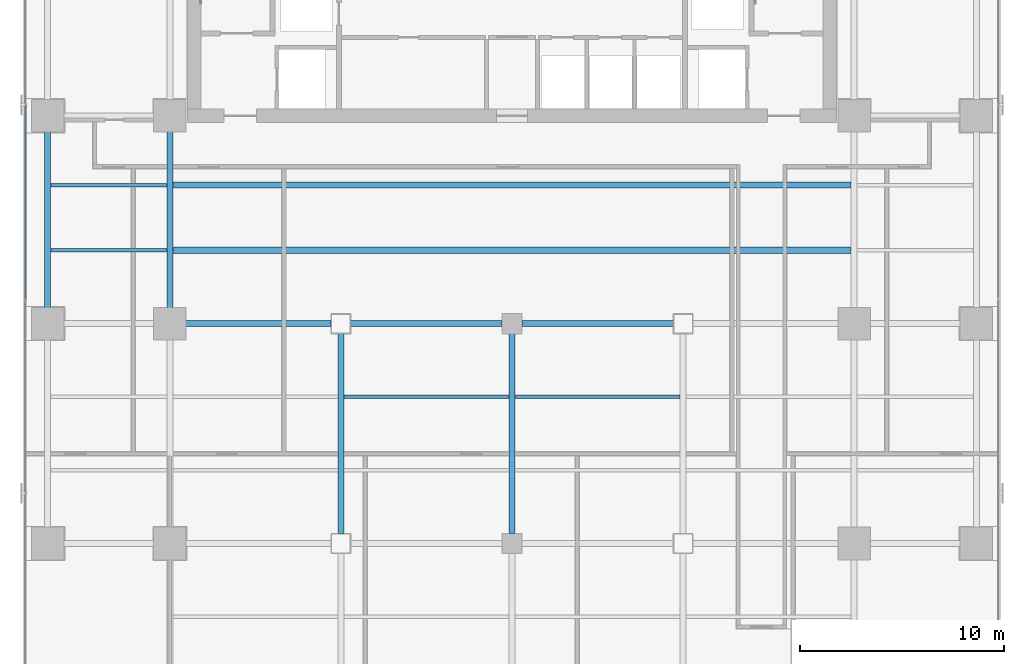
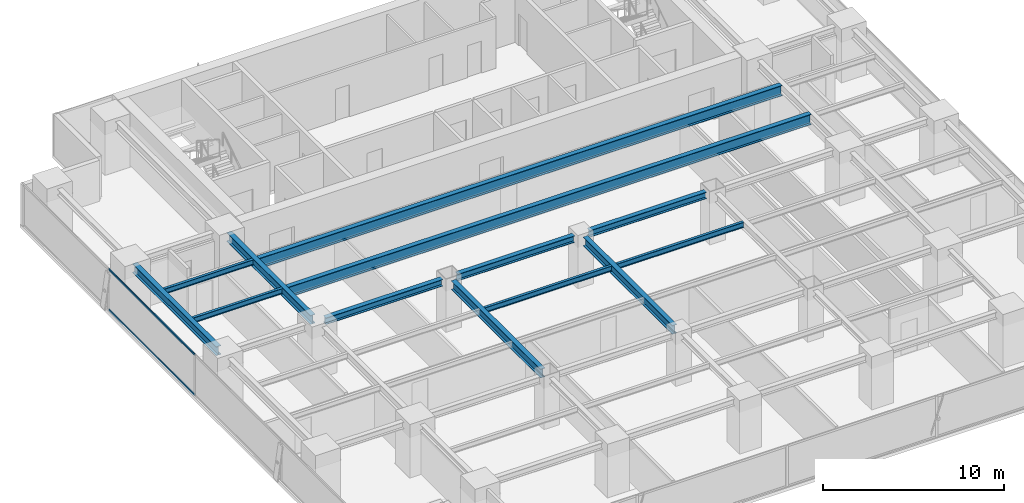
# One storey, part 8 of 28: 13 beams, 2 members, 1 element without a shape of its own.
"""IFC4 building model written with IfcOpenShell, lengths in metres."""

from ifc_helpers import new_model, si_unit, direction, frame, origin, origin_2d, place, context, subcontext, project, spatial, hollow_rectangle, i_section, extrude, source, transform, mapped, material, layer, layer_set, material_profile, profile_set, type_object, element, aggregate, save


model = new_model("IFC4")

# Units and contexts
model_context = context("Model", 3, precision=1e-05, world=origin(), true_north=direction((0.0, 1.0)))
body_context = subcontext(model_context, "Body", "Model", "MODEL_VIEW")
ifc_project = project(units=[si_unit("LENGTHUNIT", "METRE"), si_unit("AREAUNIT", "SQUARE_METRE"), si_unit("VOLUMEUNIT", "CUBIC_METRE"), si_unit("PLANEANGLEUNIT", "RADIAN"), si_unit("MASSUNIT", "GRAM", prefix="KILO")], contexts=[model_context])

# Site, building, storey
site_placement = place(None, origin())
site = spatial("IfcSite", under=ifc_project, at=site_placement, CompositionType="ELEMENT")
building_placement = place(site_placement, origin())
building = spatial("IfcBuilding", under=site, at=building_placement, Name="Sumidabori Civic Tower", CompositionType="ELEMENT")
storey_placement = place(building_placement, frame((0.0, 0.0, 167.60009765625)))
storey = spatial("IfcBuildingStorey", under=building, at=storey_placement, Name="L43", CompositionType="ELEMENT", Elevation=167.60009765625)

# Beams
ifc_material_1 = material(Name="Steel SN490", Category="steel")
ifc_material_profile_1 = material_profile(ifc_material_1, i_section(OverallWidth=0.300048828125, OverallDepth=0.60009765625, WebThickness=0.015380859375, FlangeThickness=0.030029296875, at=origin_2d()), Name="HE 600 B")
ifc_profile_set_1 = profile_set([ifc_material_profile_1], Name="Steel SN490")
beam_type_1 = type_object("IfcBeamType", Name="BM-GIRD-600", PredefinedType="BEAM", material=ifc_profile_set_1)
shared_shape_1 = source(origin(), body_context, "Body", "SweptSolid", [
    extrude(i_section(OverallWidth=0.300048828125, OverallDepth=0.60009765625, WebThickness=0.015380859375, FlangeThickness=0.030029296875, at=origin_2d()), origin(), (0.0, 0.0, 1.0), 9.840087890625),
])
for number, where, z_axis, x_axis, name in (
    (1, (-8.39990234375, -10.320068359375, 3.079833984375), (0.0, 1.0, 0.0), (-1.0, 0.0, 0.0), "Primary Girder L43 GY-27"),
    (2, (0.0, -10.320068359375, 3.079833984375), (0.0, 1.0, 0.0), (-1.0, 0.0, 0.0), "Primary Girder L43 GY-29"),
):
    element("IfcBeam", number, at=place(storey_placement, frame(where, z_axis=z_axis, x_axis=x_axis)), inside=storey, type_object=beam_type_1, Name=name, PredefinedType="BEAM", context=body_context, shape_type="MappedRepresentation", body=[
        mapped(shared_shape_1, transform((0.0, 0.0, 0.0), x_axis=(1.0, 0.0, 0.0), y_axis=(0.0, 1.0, 0.0), z_axis=(0.0, 0.0, 1.0), scale=1.0)),
    ])
shared_shape_2 = source(origin(), body_context, "Body", "SweptSolid", [
    extrude(i_section(OverallWidth=0.300048828125, OverallDepth=0.60009765625, WebThickness=0.015380859375, FlangeThickness=0.030029296875, at=origin_2d()), origin(), (0.0, 0.0, 1.0), 9.239990234375),
])
for number, where, z_axis, x_axis, name in (
    (3, (-22.800048828125, 0.47998046875, 3.079833984375), (0.0, 1.0, 0.0), (-1.0, 0.0, 0.0), "Primary Girder L43 GY-20"),
    (4, (-16.800048828125, 0.47998046875, 3.079833984375), (0.0, 1.0, 0.0), (-1.0, 0.0, 0.0), "Primary Girder L43 GY-24"),
):
    element("IfcBeam", number, at=place(storey_placement, frame(where, z_axis=z_axis, x_axis=x_axis)), inside=storey, type_object=beam_type_1, Name=name, PredefinedType="BEAM", context=body_context, shape_type="MappedRepresentation", body=[
        mapped(shared_shape_2, transform((0.0, 0.0, 0.0), x_axis=(1.0, 0.0, 0.0), y_axis=(0.0, 1.0, 0.0), z_axis=(0.0, 0.0, 1.0), scale=1.0)),
    ])
ifc_material_profile_2 = material_profile(ifc_material_1, i_section(OverallWidth=0.300048828125, OverallDepth=0.699951171875, WebThickness=0.01708984375, FlangeThickness=0.031982421875, at=origin_2d()), Name="HE 700 B")
ifc_profile_set_2 = profile_set([ifc_material_profile_2], Name="Steel SN490")
beam_type_2 = type_object("IfcBeamType", Name="BM-GIRD-700", PredefinedType="BEAM", material=ifc_profile_set_2)
shared_shape_3 = source(origin(), body_context, "Body", "SweptSolid", [
    extrude(i_section(OverallWidth=0.300048828125, OverallDepth=0.699951171875, WebThickness=0.01708984375, FlangeThickness=0.031982421875, at=origin_2d()), origin(), (0.0, 0.0, 1.0), 33.2998046875),
])
for number, where, z_axis, x_axis, name in (
    (5, (-16.64990234375, 3.60009765625, 3.02978515625), (1.0, 0.0, 0.0), (0.0, 1.0, 0.0), "North Bay Floor Beam L43 JSTN-47"),
    (6, (-16.64990234375, 6.800048828125, 3.02978515625), (1.0, 0.0, 0.0), (0.0, 1.0, 0.0), "North Bay Floor Beam L43 JSTN-48"),
):
    element("IfcBeam", number, at=place(storey_placement, frame(where, z_axis=z_axis, x_axis=x_axis)), inside=storey, type_object=beam_type_2, Name=name, PredefinedType="BEAM", context=body_context, shape_type="MappedRepresentation", body=[
        mapped(shared_shape_3, transform((0.0, 0.0, 0.0), x_axis=(1.0, 0.0, 0.0), y_axis=(0.0, 1.0, 0.0), z_axis=(0.0, 0.0, 1.0), scale=1.0)),
    ])
ifc_material_profile_3 = material_profile(ifc_material_1, i_section(OverallWidth=0.169921875, OverallDepth=0.360107421875, WebThickness=0.008056640625, FlangeThickness=0.0126953125, at=origin_2d()), Name="IPE 360")
ifc_profile_set_3 = profile_set([ifc_material_profile_3], Name="Steel SN490")
beam_type_3 = type_object("IfcBeamType", Name="BM-JST-360", PredefinedType="JOIST", material=ifc_profile_set_3)
shared_shape_4 = source(origin(), body_context, "Body", "SweptSolid", [
    extrude(i_section(OverallWidth=0.169921875, OverallDepth=0.360107421875, WebThickness=0.008056640625, FlangeThickness=0.0126953125, at=origin_2d()), origin(), (0.0, 0.0, 1.0), 5.699951171875),
])
for number, where, z_axis, x_axis, name in (
    (7, (-22.64990234375, 3.60009765625, 3.199951171875), (1.0, 0.0, 0.0), (0.0, 1.0, 0.0), "Outer Bay Floor Joist L43 JSTO-43"),
    (8, (-22.64990234375, 6.800048828125, 3.199951171875), (1.0, 0.0, 0.0), (0.0, 1.0, 0.0), "Outer Bay Floor Joist L43 JSTO-45"),
):
    element("IfcBeam", number, at=place(storey_placement, frame(where, z_axis=z_axis, x_axis=x_axis)), inside=storey, type_object=beam_type_3, Name=name, PredefinedType="JOIST", context=body_context, shape_type="MappedRepresentation", body=[
        mapped(shared_shape_4, transform((0.0, 0.0, 0.0), x_axis=(1.0, 0.0, 0.0), y_axis=(0.0, 1.0, 0.0), z_axis=(0.0, 0.0, 1.0), scale=1.0)),
    ])
shared_shape_5 = source(origin(), body_context, "Body", "SweptSolid", [
    extrude(i_section(OverallWidth=0.169921875, OverallDepth=0.360107421875, WebThickness=0.008056640625, FlangeThickness=0.0126953125, at=origin_2d()), origin(), (0.0, 0.0, 1.0), 8.10009765625),
])
for number, where, z_axis, x_axis, name in (
    (9, (-8.25, -3.60009765625, 3.199951171875), (1.0, 0.0, 0.0), (0.0, 1.0, 0.0), "South Bay Floor Joist L43 JSTS-58"),
    (10, (0.14990234375, -3.60009765625, 3.199951171875), (1.0, 0.0, 0.0), (0.0, 1.0, 0.0), "South Bay Floor Joist L43 JSTS-59"),
):
    element("IfcBeam", number, at=place(storey_placement, frame(where, z_axis=z_axis, x_axis=x_axis)), inside=storey, type_object=beam_type_3, Name=name, PredefinedType="JOIST", context=body_context, shape_type="MappedRepresentation", body=[
        mapped(shared_shape_5, transform((0.0, 0.0, 0.0), x_axis=(1.0, 0.0, 0.0), y_axis=(0.0, 1.0, 0.0), z_axis=(0.0, 0.0, 1.0), scale=1.0)),
    ])
ifc_material_profile_4 = material_profile(ifc_material_1, i_section(OverallWidth=0.300048828125, OverallDepth=0.449951171875, WebThickness=0.013916015625, FlangeThickness=0.02587890625, at=origin_2d()), Name="HE 450 B")
ifc_profile_set_4 = profile_set([ifc_material_profile_4], Name="Steel SN490")
beam_type_4 = type_object("IfcBeamType", Name="BM-GIRD-450", PredefinedType="BEAM", material=ifc_profile_set_4)
shared_shape_6 = source(origin(), body_context, "Body", "SweptSolid", [
    extrude(i_section(OverallWidth=0.300048828125, OverallDepth=0.449951171875, WebThickness=0.013916015625, FlangeThickness=0.02587890625, at=origin_2d()), origin(), (0.0, 0.0, 1.0), 7.440185546875),
])
beam_placement = place(storey_placement, frame((-16.320068359375, 0.0, 3.15478515625), z_axis=(1.0, 0.0, 0.0), x_axis=(0.0, 1.0, 0.0)))
element("IfcBeam", 11, at=beam_placement, inside=storey, type_object=beam_type_4, Name="Primary Girder L43 GX-12", PredefinedType="BEAM", context=body_context, shape_type="MappedRepresentation", body=[
    mapped(shared_shape_6, transform((0.0, 0.0, 0.0), x_axis=(1.0, 0.0, 0.0), y_axis=(0.0, 1.0, 0.0), z_axis=(0.0, 0.0, 1.0), scale=1.0)),
])
shared_shape_7 = source(origin(), body_context, "Body", "SweptSolid", [
    extrude(i_section(OverallWidth=0.300048828125, OverallDepth=0.449951171875, WebThickness=0.013916015625, FlangeThickness=0.02587890625, at=origin_2d()), origin(), (0.0, 0.0, 1.0), 7.43994140625),
])
for number, where, z_axis, x_axis, name in (
    (12, (-7.919921875, 0.0, 3.15478515625), (1.0, 0.0, 0.0), (0.0, 1.0, 0.0), "Primary Girder L43 GX-13"),
    (13, (0.47998046875, 0.0, 3.15478515625), (1.0, 0.0, 0.0), (0.0, 1.0, 0.0), "Primary Girder L43 GX-14"),
):
    element("IfcBeam", number, at=place(storey_placement, frame(where, z_axis=z_axis, x_axis=x_axis)), inside=storey, type_object=beam_type_4, Name=name, PredefinedType="BEAM", context=body_context, shape_type="MappedRepresentation", body=[
        mapped(shared_shape_7, transform((0.0, 0.0, 0.0), x_axis=(1.0, 0.0, 0.0), y_axis=(0.0, 1.0, 0.0), z_axis=(0.0, 0.0, 1.0), scale=1.0)),
    ])

# Curtain wall, members
ifc_material_2 = material(Name="Anodised Bronze Aluminium AW-6063-T6", Category="aluminium")
ifc_layer = layer(ifc_material_2, 0.179931640625, Name="Anodised Bronze Aluminium AW-6063-T6")
ifc_layer_set = layer_set([ifc_layer], Name="Anodised Bronze Aluminium AW-6063-T6")
curtain_wall_type = type_object("IfcCurtainWallType", Name="CW-SYS-3", PredefinedType="NOTDEFINED", material=ifc_layer_set)
curtain_wall_placement = place(storey_placement, origin())
curtain_wall = element("IfcCurtainWall", 14, at=curtain_wall_placement, inside=storey, type_object=curtain_wall_type, Name="Curtain Wall CW:L43:R10", PredefinedType="NOTDEFINED")
ifc_material_profile_5 = material_profile(ifc_material_2, hollow_rectangle(XDim=0.06005859375, YDim=0.1298828125, WallThickness=0.0048828125, at=origin_2d()), Name="ALU TRANSOM 130x60")
ifc_profile_set_5 = profile_set([ifc_material_profile_5], Name="Anodised Bronze Aluminium AW-6063-T6")
member_type = type_object("IfcMemberType", Name="CW-TRN-130", PredefinedType="USERDEFINED", material=ifc_profile_set_5)
shared_shape_8 = source(origin(), body_context, "Body", "SweptSolid", [
    extrude(hollow_rectangle(XDim=0.06005859375, YDim=0.1298828125, WallThickness=0.0048828125, at=origin_2d()), origin(), (0.0, 0.0, 1.0), 9.469970703125),
])
member_1_placement = place(storey_placement, frame((-23.8798828125, 10.702392578125, 0.02978515625), z_axis=(0.0, -1.0, 0.0), x_axis=(1.0, 0.0, 0.0)))
member_1 = element("IfcMember", 15, at=member_1_placement, type_object=member_type, Name="CW-3 transom 2.1", ObjectType="TRANSOM", PredefinedType="USERDEFINED", context=body_context, shape_type="MappedRepresentation", body=[
    mapped(shared_shape_8, transform((0.0, 0.0, 0.0), x_axis=(1.0, 0.0, 0.0), y_axis=(0.0, 1.0, 0.0), z_axis=(0.0, 0.0, 1.0), scale=1.0)),
])
member_2_placement = place(storey_placement, frame((-23.8798828125, 10.702392578125, 2.72998046875), z_axis=(0.0, -1.0, 0.0), x_axis=(1.0, 0.0, 0.0)))
member_2 = element("IfcMember", 16, at=member_2_placement, type_object=member_type, Name="CW-3 transom 2.2", ObjectType="TRANSOM", PredefinedType="USERDEFINED", context=body_context, shape_type="MappedRepresentation", body=[
    mapped(shared_shape_8, transform((0.0, 0.0, 0.0), x_axis=(1.0, 0.0, 0.0), y_axis=(0.0, 1.0, 0.0), z_axis=(0.0, 0.0, 1.0), scale=1.0)),
])
aggregate(curtain_wall, [member_1, member_2])

save(model, "model.ifc")
